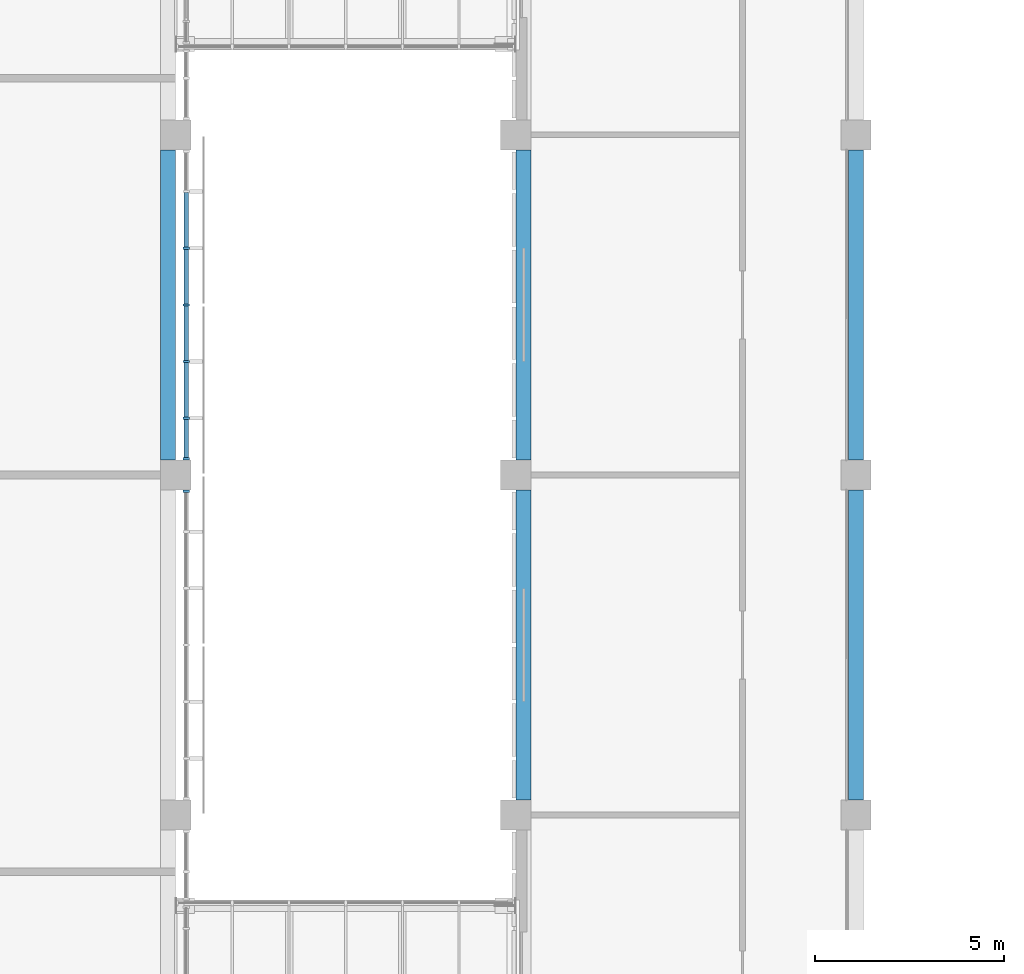
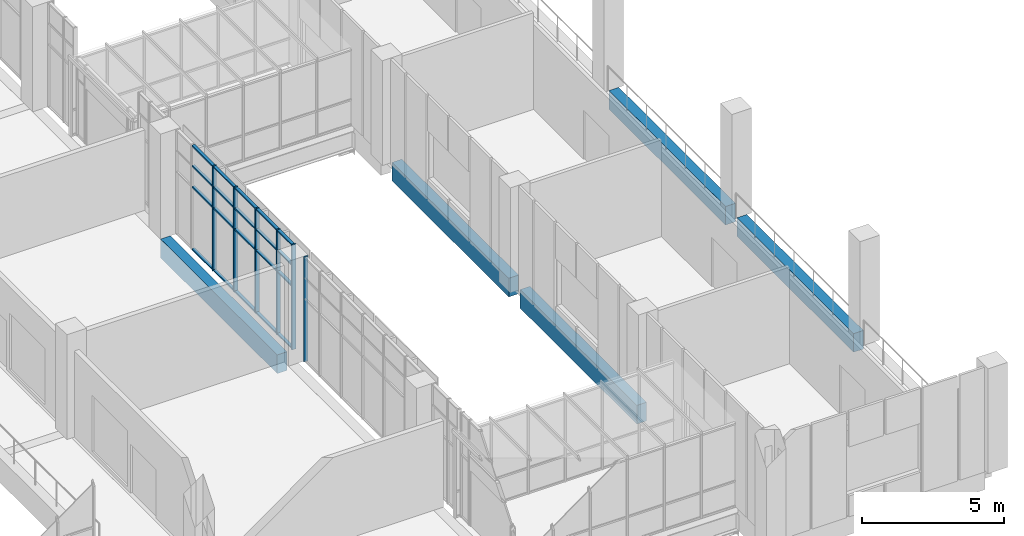
# One storey, part 23 of 88: 26 members, 5 beams, 2 elements without a shape of their own.
"""IFC4 building model written with IfcOpenShell, lengths in metres."""

from ifc_helpers import new_model, si_unit, direction, frame, origin, origin_2d, place, context, subcontext, project, spatial, rectangle, extrude, material, layer, layer_set, material_profile, profile_set, type_object, element, aggregate, save


model = new_model("IFC4")

# Units and contexts
model_context = context("Model", 3, precision=1e-05, world=origin(), true_north=direction((0.0, 1.0)))
body_context = subcontext(model_context, "Body", "Model", "MODEL_VIEW")
ifc_project = project(units=[si_unit("LENGTHUNIT", "METRE"), si_unit("AREAUNIT", "SQUARE_METRE"), si_unit("VOLUMEUNIT", "CUBIC_METRE"), si_unit("PLANEANGLEUNIT", "RADIAN"), si_unit("MASSUNIT", "GRAM", prefix="KILO")], contexts=[model_context])

# Site, building, storey
site_placement = place(None, origin())
site = spatial("IfcSite", under=ifc_project, at=site_placement, CompositionType="ELEMENT")
building_placement = place(site_placement, origin())
building = spatial("IfcBuilding", under=site, at=building_placement, Name="Guidao Yard Department Store", CompositionType="ELEMENT")
storey_placement = place(building_placement, frame((0.0, 0.0, 6.0)))
storey = spatial("IfcBuildingStorey", under=building, at=storey_placement, Name="L01", CompositionType="ELEMENT", Elevation=6.0)

# Curtain wall, member
ifc_material_1 = material(Name="Aluminium and glass", Category="aluminium")
ifc_layer = layer(ifc_material_1, 0.159912109375)
ifc_layer_set = layer_set([ifc_layer], Name="Shopfront curtain wall CW1 1500 module")
curtain_wall_type = type_object("IfcCurtainWallType", Name="Shopfront curtain wall CW1 1500 module", PredefinedType="NOTDEFINED", material=ifc_layer_set)
curtain_wall_1_placement = place(storey_placement, origin())
curtain_wall_1 = element("IfcCurtainWall", 1, at=curtain_wall_1_placement, inside=storey, type_object=curtain_wall_type, Name="Arcade shop front", PredefinedType="NOTDEFINED")
ifc_material_2 = material(Name="Aluminium 6063-T5", Category="aluminium")
ifc_material_profile_1 = material_profile(ifc_material_2, rectangle(XDim=0.06005859375, YDim=0.159912109375, at=origin_2d()), Name="Mullion M1 60 x 160 aluminium pressure plate")
ifc_profile_set_1 = profile_set([ifc_material_profile_1], Name="Aluminium 6063-T5")
member_type_1 = type_object("IfcMemberType", Name="Mullion M1 60 x 160 aluminium pressure plate", PredefinedType="MULLION", material=ifc_profile_set_1)
member_1_placement = place(storey_placement, frame((108.280029296875, 71.570068359375, 0.0), z_axis=(0.0, 0.0, 1.0), x_axis=(0.0, -1.0, 0.0)))
member_1 = element("IfcMember", 2, at=member_1_placement, type_object=member_type_1, Name="CW-AS-L01-16 mullion 7", PredefinedType="MULLION", context=body_context, shape_type="SweptSolid", body=[
    extrude(rectangle(XDim=0.06005859375, YDim=0.159912109375, at=origin_2d()), origin(), (0.0, 0.0, 1.0), 4.5),
])
aggregate(curtain_wall_1, [member_1])

# Curtain wall, members
curtain_wall_2_placement = place(storey_placement, origin())
curtain_wall_2 = element("IfcCurtainWall", 3, at=curtain_wall_2_placement, inside=storey, type_object=curtain_wall_type, Name="Arcade shop front", PredefinedType="NOTDEFINED")
member_2_placement = place(storey_placement, frame((108.280029296875, 72.429931640625, 0.0), z_axis=(0.0, 0.0, 1.0), x_axis=(0.0, -1.0, 0.0)))
member_2 = element("IfcMember", 4, at=member_2_placement, type_object=member_type_1, Name="CW-AS-L01-17 mullion 1", PredefinedType="MULLION", context=body_context, shape_type="SweptSolid", body=[
    extrude(rectangle(XDim=0.06005859375, YDim=0.159912109375, at=origin_2d()), origin(), (0.0, 0.0, 1.0), 4.5),
])
member_3_placement = place(storey_placement, frame((108.280029296875, 73.5, 0.0), z_axis=(0.0, 0.0, 1.0), x_axis=(0.0, -1.0, 0.0)))
member_3 = element("IfcMember", 5, at=member_3_placement, type_object=member_type_1, Name="CW-AS-L01-17 mullion 2", PredefinedType="MULLION", context=body_context, shape_type="SweptSolid", body=[
    extrude(rectangle(XDim=0.06005859375, YDim=0.159912109375, at=origin_2d()), origin(), (0.0, 0.0, 1.0), 4.5),
])
member_4_placement = place(storey_placement, frame((108.280029296875, 75.0, 0.0), z_axis=(0.0, 0.0, 1.0), x_axis=(0.0, -1.0, 0.0)))
member_4 = element("IfcMember", 6, at=member_4_placement, type_object=member_type_1, Name="CW-AS-L01-17 mullion 3", PredefinedType="MULLION", context=body_context, shape_type="SweptSolid", body=[
    extrude(rectangle(XDim=0.06005859375, YDim=0.159912109375, at=origin_2d()), origin(), (0.0, 0.0, 1.0), 4.5),
])
member_5_placement = place(storey_placement, frame((108.280029296875, 76.5, 0.0), z_axis=(0.0, 0.0, 1.0), x_axis=(0.0, -1.0, 0.0)))
member_5 = element("IfcMember", 7, at=member_5_placement, type_object=member_type_1, Name="CW-AS-L01-17 mullion 4", PredefinedType="MULLION", context=body_context, shape_type="SweptSolid", body=[
    extrude(rectangle(XDim=0.06005859375, YDim=0.159912109375, at=origin_2d()), origin(), (0.0, 0.0, 1.0), 4.5),
])
member_6_placement = place(storey_placement, frame((108.280029296875, 78.0, 0.0), z_axis=(0.0, 0.0, 1.0), x_axis=(0.0, -1.0, 0.0)))
member_6 = element("IfcMember", 8, at=member_6_placement, type_object=member_type_1, Name="CW-AS-L01-17 mullion 5", PredefinedType="MULLION", context=body_context, shape_type="SweptSolid", body=[
    extrude(rectangle(XDim=0.06005859375, YDim=0.159912109375, at=origin_2d()), origin(), (0.0, 0.0, 1.0), 4.5),
])

# Beams
ifc_material_3 = material(Name="Concrete C40", Category="concrete")
ifc_material_profile_2 = material_profile(ifc_material_3, rectangle(XDim=0.39990234375, YDim=0.800048828125, at=origin_2d()), Name="Spandrel beam 400 x 800 C40")
ifc_profile_set_2 = profile_set([ifc_material_profile_2], Name="Concrete C40")
beam_type = type_object("IfcBeamType", Name="Spandrel beam 400 x 800 C40", PredefinedType="SPANDREL", material=ifc_profile_set_2)
for number, where, z_axis, x_axis, name in (
    (9, (107.800048828125, 72.39990234375, -0.39990234375), (0.0, 1.0, 0.0), (-1.0, 0.0, 0.0), "Beam EB46"),
    (10, (126.0, 63.39990234375, -0.39990234375), (0.0, 1.0, 0.0), (-1.0, 0.0, 0.0), "Beam EB68"),
    (11, (126.0, 72.39990234375, -0.39990234375), (0.0, 1.0, 0.0), (-1.0, 0.0, 0.0), "Beam EB69"),
    (12, (117.199951171875, 63.39990234375, -0.39990234375), (0.0, 1.0, 0.0), (-1.0, 0.0, 0.0), "Beam EB72"),
    (13, (117.199951171875, 72.39990234375, -0.39990234375), (0.0, 1.0, 0.0), (-1.0, 0.0, 0.0), "Beam EB73"),
):
    element("IfcBeam", number, at=place(storey_placement, frame(where, z_axis=z_axis, x_axis=x_axis)), inside=storey, type_object=beam_type, Name=name, PredefinedType="SPANDREL", context=body_context, shape_type="SweptSolid", body=[
        extrude(rectangle(XDim=0.39990234375, YDim=0.800048828125, at=origin_2d()), origin(), (0.0, 0.0, 1.0), 8.2001953125),
    ])

# Member
ifc_material_4 = material(Name="Aluminium 6063-T5", Category="aluminium")
ifc_material_profile_3 = material_profile(ifc_material_4, rectangle(XDim=0.1201171875, YDim=0.06005859375, at=origin_2d()), Name="Transom T1 60 x 120 aluminium pressure plate")
ifc_profile_set_3 = profile_set([ifc_material_profile_3], Name="Aluminium 6063-T5")
member_type_2 = type_object("IfcMemberType", Name="Transom T1 60 x 120 aluminium pressure plate", PredefinedType="USERDEFINED", material=ifc_profile_set_3)
member_7_placement = place(storey_placement, frame((108.280029296875, 73.469970703125, 0.030029296875), z_axis=(0.0, -1.0, 0.0), x_axis=(1.0, 0.0, 0.0)))
member_7 = element("IfcMember", 14, at=member_7_placement, type_object=member_type_2, Name="CW-AS-L01-17 transom 1.1", ObjectType="TRANSOM", PredefinedType="USERDEFINED", context=body_context, shape_type="SweptSolid", body=[
    extrude(rectangle(XDim=0.1201171875, YDim=0.06005859375, at=origin_2d()), origin(), (0.0, 0.0, 1.0), 1.010009765625),
])

member_8_placement = place(storey_placement, frame((108.280029296875, 73.469970703125, 2.699951171875), z_axis=(0.0, -1.0, 0.0), x_axis=(1.0, 0.0, 0.0)))
member_8 = element("IfcMember", 15, at=member_8_placement, type_object=member_type_2, Name="CW-AS-L01-17 transom 1.2", ObjectType="TRANSOM", PredefinedType="USERDEFINED", context=body_context, shape_type="SweptSolid", body=[
    extrude(rectangle(XDim=0.1201171875, YDim=0.06005859375, at=origin_2d()), origin(), (0.0, 0.0, 1.0), 1.010009765625),
])

member_9_placement = place(storey_placement, frame((108.280029296875, 73.469970703125, 3.60009765625), z_axis=(0.0, -1.0, 0.0), x_axis=(1.0, 0.0, 0.0)))
member_9 = element("IfcMember", 16, at=member_9_placement, type_object=member_type_2, Name="CW-AS-L01-17 transom 1.3", ObjectType="TRANSOM", PredefinedType="USERDEFINED", context=body_context, shape_type="SweptSolid", body=[
    extrude(rectangle(XDim=0.1201171875, YDim=0.06005859375, at=origin_2d()), origin(), (0.0, 0.0, 1.0), 1.010009765625),
])

member_10_placement = place(storey_placement, frame((108.280029296875, 73.469970703125, 4.469970703125), z_axis=(0.0, -1.0, 0.0), x_axis=(1.0, 0.0, 0.0)))
member_10 = element("IfcMember", 17, at=member_10_placement, type_object=member_type_2, Name="CW-AS-L01-17 transom 1.4", ObjectType="TRANSOM", PredefinedType="USERDEFINED", context=body_context, shape_type="SweptSolid", body=[
    extrude(rectangle(XDim=0.1201171875, YDim=0.06005859375, at=origin_2d()), origin(), (0.0, 0.0, 1.0), 1.010009765625),
])

member_11_placement = place(storey_placement, frame((108.280029296875, 74.969970703125, 0.030029296875), z_axis=(0.0, -1.0, 0.0), x_axis=(1.0, 0.0, 0.0)))
member_11 = element("IfcMember", 18, at=member_11_placement, type_object=member_type_2, Name="CW-AS-L01-17 transom 2.1", ObjectType="TRANSOM", PredefinedType="USERDEFINED", context=body_context, shape_type="SweptSolid", body=[
    extrude(rectangle(XDim=0.1201171875, YDim=0.06005859375, at=origin_2d()), origin(), (0.0, 0.0, 1.0), 1.43994140625),
])

member_12_placement = place(storey_placement, frame((108.280029296875, 74.969970703125, 2.699951171875), z_axis=(0.0, -1.0, 0.0), x_axis=(1.0, 0.0, 0.0)))
member_12 = element("IfcMember", 19, at=member_12_placement, type_object=member_type_2, Name="CW-AS-L01-17 transom 2.2", ObjectType="TRANSOM", PredefinedType="USERDEFINED", context=body_context, shape_type="SweptSolid", body=[
    extrude(rectangle(XDim=0.1201171875, YDim=0.06005859375, at=origin_2d()), origin(), (0.0, 0.0, 1.0), 1.43994140625),
])

member_13_placement = place(storey_placement, frame((108.280029296875, 74.969970703125, 3.60009765625), z_axis=(0.0, -1.0, 0.0), x_axis=(1.0, 0.0, 0.0)))
member_13 = element("IfcMember", 20, at=member_13_placement, type_object=member_type_2, Name="CW-AS-L01-17 transom 2.3", ObjectType="TRANSOM", PredefinedType="USERDEFINED", context=body_context, shape_type="SweptSolid", body=[
    extrude(rectangle(XDim=0.1201171875, YDim=0.06005859375, at=origin_2d()), origin(), (0.0, 0.0, 1.0), 1.43994140625),
])

member_14_placement = place(storey_placement, frame((108.280029296875, 74.969970703125, 4.469970703125), z_axis=(0.0, -1.0, 0.0), x_axis=(1.0, 0.0, 0.0)))
member_14 = element("IfcMember", 21, at=member_14_placement, type_object=member_type_2, Name="CW-AS-L01-17 transom 2.4", ObjectType="TRANSOM", PredefinedType="USERDEFINED", context=body_context, shape_type="SweptSolid", body=[
    extrude(rectangle(XDim=0.1201171875, YDim=0.06005859375, at=origin_2d()), origin(), (0.0, 0.0, 1.0), 1.43994140625),
])

member_15_placement = place(storey_placement, frame((108.280029296875, 76.469970703125, 0.030029296875), z_axis=(0.0, -1.0, 0.0), x_axis=(1.0, 0.0, 0.0)))
member_15 = element("IfcMember", 22, at=member_15_placement, type_object=member_type_2, Name="CW-AS-L01-17 transom 3.1", ObjectType="TRANSOM", PredefinedType="USERDEFINED", context=body_context, shape_type="SweptSolid", body=[
    extrude(rectangle(XDim=0.1201171875, YDim=0.06005859375, at=origin_2d()), origin(), (0.0, 0.0, 1.0), 1.43994140625),
])

member_16_placement = place(storey_placement, frame((108.280029296875, 76.469970703125, 2.699951171875), z_axis=(0.0, -1.0, 0.0), x_axis=(1.0, 0.0, 0.0)))
member_16 = element("IfcMember", 23, at=member_16_placement, type_object=member_type_2, Name="CW-AS-L01-17 transom 3.2", ObjectType="TRANSOM", PredefinedType="USERDEFINED", context=body_context, shape_type="SweptSolid", body=[
    extrude(rectangle(XDim=0.1201171875, YDim=0.06005859375, at=origin_2d()), origin(), (0.0, 0.0, 1.0), 1.43994140625),
])

member_17_placement = place(storey_placement, frame((108.280029296875, 76.469970703125, 3.60009765625), z_axis=(0.0, -1.0, 0.0), x_axis=(1.0, 0.0, 0.0)))
member_17 = element("IfcMember", 24, at=member_17_placement, type_object=member_type_2, Name="CW-AS-L01-17 transom 3.3", ObjectType="TRANSOM", PredefinedType="USERDEFINED", context=body_context, shape_type="SweptSolid", body=[
    extrude(rectangle(XDim=0.1201171875, YDim=0.06005859375, at=origin_2d()), origin(), (0.0, 0.0, 1.0), 1.43994140625),
])

member_18_placement = place(storey_placement, frame((108.280029296875, 76.469970703125, 4.469970703125), z_axis=(0.0, -1.0, 0.0), x_axis=(1.0, 0.0, 0.0)))
member_18 = element("IfcMember", 25, at=member_18_placement, type_object=member_type_2, Name="CW-AS-L01-17 transom 3.4", ObjectType="TRANSOM", PredefinedType="USERDEFINED", context=body_context, shape_type="SweptSolid", body=[
    extrude(rectangle(XDim=0.1201171875, YDim=0.06005859375, at=origin_2d()), origin(), (0.0, 0.0, 1.0), 1.43994140625),
])

member_19_placement = place(storey_placement, frame((108.280029296875, 77.969970703125, 0.030029296875), z_axis=(0.0, -1.0, 0.0), x_axis=(1.0, 0.0, 0.0)))
member_19 = element("IfcMember", 26, at=member_19_placement, type_object=member_type_2, Name="CW-AS-L01-17 transom 4.1", ObjectType="TRANSOM", PredefinedType="USERDEFINED", context=body_context, shape_type="SweptSolid", body=[
    extrude(rectangle(XDim=0.1201171875, YDim=0.06005859375, at=origin_2d()), origin(), (0.0, 0.0, 1.0), 1.43994140625),
])

member_20_placement = place(storey_placement, frame((108.280029296875, 77.969970703125, 2.699951171875), z_axis=(0.0, -1.0, 0.0), x_axis=(1.0, 0.0, 0.0)))
member_20 = element("IfcMember", 27, at=member_20_placement, type_object=member_type_2, Name="CW-AS-L01-17 transom 4.2", ObjectType="TRANSOM", PredefinedType="USERDEFINED", context=body_context, shape_type="SweptSolid", body=[
    extrude(rectangle(XDim=0.1201171875, YDim=0.06005859375, at=origin_2d()), origin(), (0.0, 0.0, 1.0), 1.43994140625),
])

member_21_placement = place(storey_placement, frame((108.280029296875, 77.969970703125, 3.60009765625), z_axis=(0.0, -1.0, 0.0), x_axis=(1.0, 0.0, 0.0)))
member_21 = element("IfcMember", 28, at=member_21_placement, type_object=member_type_2, Name="CW-AS-L01-17 transom 4.3", ObjectType="TRANSOM", PredefinedType="USERDEFINED", context=body_context, shape_type="SweptSolid", body=[
    extrude(rectangle(XDim=0.1201171875, YDim=0.06005859375, at=origin_2d()), origin(), (0.0, 0.0, 1.0), 1.43994140625),
])

member_22_placement = place(storey_placement, frame((108.280029296875, 77.969970703125, 4.469970703125), z_axis=(0.0, -1.0, 0.0), x_axis=(1.0, 0.0, 0.0)))
member_22 = element("IfcMember", 29, at=member_22_placement, type_object=member_type_2, Name="CW-AS-L01-17 transom 4.4", ObjectType="TRANSOM", PredefinedType="USERDEFINED", context=body_context, shape_type="SweptSolid", body=[
    extrude(rectangle(XDim=0.1201171875, YDim=0.06005859375, at=origin_2d()), origin(), (0.0, 0.0, 1.0), 1.43994140625),
])

member_23_placement = place(storey_placement, frame((108.280029296875, 79.469970703125, 0.030029296875), z_axis=(0.0, -1.0, 0.0), x_axis=(1.0, 0.0, 0.0)))
member_23 = element("IfcMember", 30, at=member_23_placement, type_object=member_type_2, Name="CW-AS-L01-17 transom 5.1", ObjectType="TRANSOM", PredefinedType="USERDEFINED", context=body_context, shape_type="SweptSolid", body=[
    extrude(rectangle(XDim=0.1201171875, YDim=0.06005859375, at=origin_2d()), origin(), (0.0, 0.0, 1.0), 1.43994140625),
])

member_24_placement = place(storey_placement, frame((108.280029296875, 79.469970703125, 2.699951171875), z_axis=(0.0, -1.0, 0.0), x_axis=(1.0, 0.0, 0.0)))
member_24 = element("IfcMember", 31, at=member_24_placement, type_object=member_type_2, Name="CW-AS-L01-17 transom 5.2", ObjectType="TRANSOM", PredefinedType="USERDEFINED", context=body_context, shape_type="SweptSolid", body=[
    extrude(rectangle(XDim=0.1201171875, YDim=0.06005859375, at=origin_2d()), origin(), (0.0, 0.0, 1.0), 1.43994140625),
])

member_25_placement = place(storey_placement, frame((108.280029296875, 79.469970703125, 3.60009765625), z_axis=(0.0, -1.0, 0.0), x_axis=(1.0, 0.0, 0.0)))
member_25 = element("IfcMember", 32, at=member_25_placement, type_object=member_type_2, Name="CW-AS-L01-17 transom 5.3", ObjectType="TRANSOM", PredefinedType="USERDEFINED", context=body_context, shape_type="SweptSolid", body=[
    extrude(rectangle(XDim=0.1201171875, YDim=0.06005859375, at=origin_2d()), origin(), (0.0, 0.0, 1.0), 1.43994140625),
])

member_26_placement = place(storey_placement, frame((108.280029296875, 79.469970703125, 4.469970703125), z_axis=(0.0, -1.0, 0.0), x_axis=(1.0, 0.0, 0.0)))
member_26 = element("IfcMember", 33, at=member_26_placement, type_object=member_type_2, Name="CW-AS-L01-17 transom 5.4", ObjectType="TRANSOM", PredefinedType="USERDEFINED", context=body_context, shape_type="SweptSolid", body=[
    extrude(rectangle(XDim=0.1201171875, YDim=0.06005859375, at=origin_2d()), origin(), (0.0, 0.0, 1.0), 1.43994140625),
])

aggregate(curtain_wall_2, [member_2, member_3, member_4, member_5, member_6, member_7, member_8, member_9, member_10, member_11, member_12, member_13, member_14, member_15, member_16, member_17, member_18, member_19, member_20, member_21, member_22, member_23, member_24, member_25, member_26])

save(model, "model.ifc")
